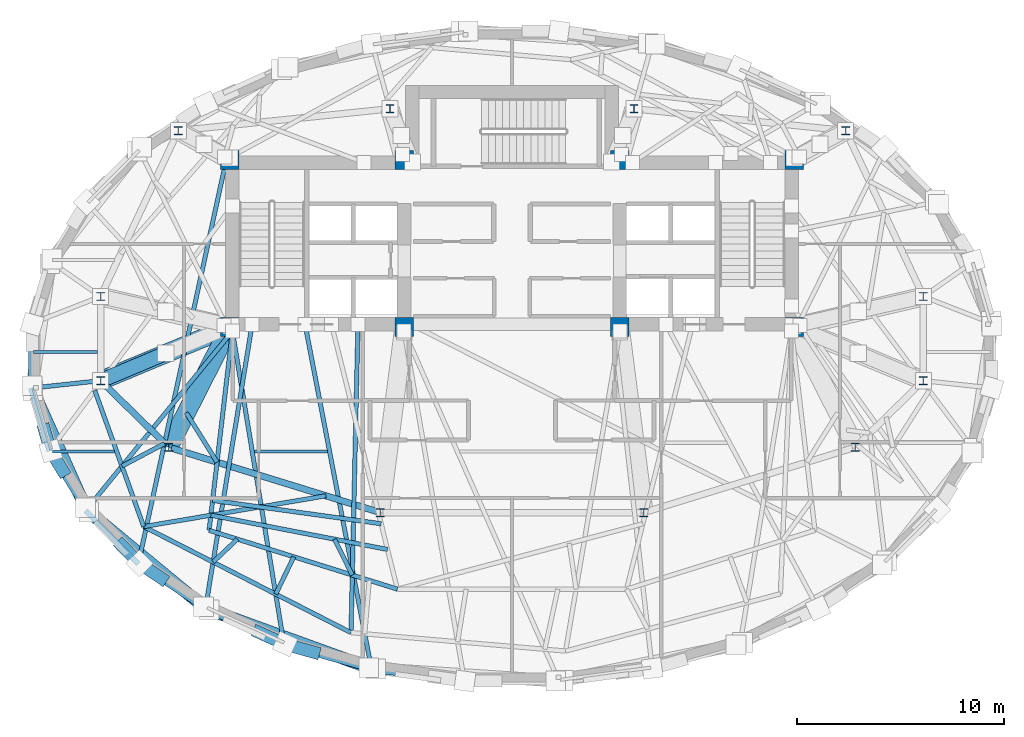
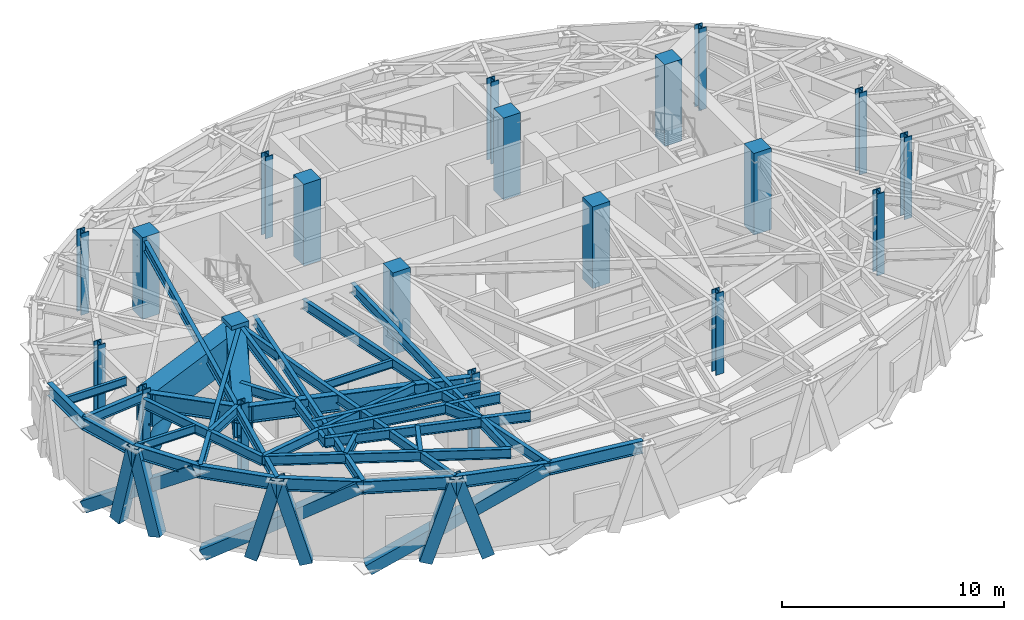
# One storey, part 1 of 12: 34 beams, 20 columns, 10 members.
"""IFC4 building model written with IfcOpenShell, lengths in metres."""

from ifc_helpers import new_model, si_unit, direction, frame, origin, origin_2d, place, context, subcontext, project, spatial, rectangle, hollow_rectangle, hollow_circle, i_section, extrude, material, material_profile, profile_set, type_object, element, save


model = new_model("IFC4")

# Units and contexts
model_context = context("Model", 3, precision=1e-05, world=origin(), true_north=direction((0.0, 1.0)))
body_context = subcontext(model_context, "Body", "Model", "MODEL_VIEW")
ifc_project = project(units=[si_unit("LENGTHUNIT", "METRE"), si_unit("AREAUNIT", "SQUARE_METRE"), si_unit("VOLUMEUNIT", "CUBIC_METRE"), si_unit("PLANEANGLEUNIT", "RADIAN"), si_unit("MASSUNIT", "GRAM", prefix="KILO")], contexts=[model_context])

# Site, building, storey
site_placement = place(None, origin())
site = spatial("IfcSite", under=ifc_project, at=site_placement, CompositionType="ELEMENT")
building_placement = place(site_placement, origin())
building = spatial("IfcBuilding", under=site, at=building_placement, Name="Keldmark Tower", CompositionType="ELEMENT")
storey_placement = place(building_placement, frame((0.0, 0.0, 201.39990234375)))
storey = spatial("IfcBuildingStorey", under=building, at=storey_placement, Name="L56", CompositionType="ELEMENT", Elevation=201.39990234375)

# Columns
ifc_material_1 = material(Name="Concrete C50/60", Category="concrete")
ifc_material_profile_1 = material_profile(ifc_material_1, rectangle(XDim=0.89990234375, YDim=0.89990234375, at=origin_2d()), Name="RC900X900")
ifc_profile_set_1 = profile_set([ifc_material_profile_1], Name="Concrete C50/60")
column_type_1 = type_object("IfcColumnType", Name="Core Boundary Column RC900", PredefinedType="COLUMN", material=ifc_profile_set_1)
for number, where, z_axis, x_axis, name in (
    (1, (-13.60009765625, 1.39990234375, 0.0), (0.0, 0.0, 1.0), (1.0, 0.0, 0.0), "L56 Core Boundary Column CC-W1"),
    (2, (-13.60009765625, 9.449951171875, 0.0), (0.0, 0.0, 1.0), (1.0, 0.0, 0.0), "L56 Core Boundary Column CC-W2"),
    (3, (-5.199951171875, 1.39990234375, 0.0), (0.0, 0.0, 1.0), (1.0, 0.0, 0.0), "L56 Core Boundary Column CC-W3"),
    (4, (-5.199951171875, 9.449951171875, 0.0), (0.0, 0.0, 1.0), (1.0, 0.0, 0.0), "L56 Core Boundary Column CC-W4"),
    (5, (5.199951171875, 1.39990234375, 0.0), (0.0, 0.0, 1.0), (1.0, 0.0, 0.0), "L56 Core Boundary Column CC-E1"),
    (6, (5.199951171875, 9.449951171875, 0.0), (0.0, 0.0, 1.0), (1.0, 0.0, 0.0), "L56 Core Boundary Column CC-E2"),
    (7, (13.60009765625, 1.39990234375, 0.0), (0.0, 0.0, 1.0), (1.0, 0.0, 0.0), "L56 Core Boundary Column CC-E3"),
    (8, (13.60009765625, 9.449951171875, 0.0), (0.0, 0.0, 1.0), (1.0, 0.0, 0.0), "L56 Core Boundary Column CC-E4"),
):
    element("IfcColumn", number, at=place(storey_placement, frame(where, z_axis=z_axis, x_axis=x_axis)), inside=storey, type_object=column_type_1, Name=name, PredefinedType="COLUMN", context=body_context, shape_type="SweptSolid", body=[
        extrude(rectangle(XDim=0.89990234375, YDim=0.89990234375, at=origin_2d()), origin(), (0.0, 0.0, 1.0), 4.5),
    ])
ifc_material_2 = material(Name="Steel ASTM A992 Grade 50", Category="steel")
ifc_material_profile_2 = material_profile(ifc_material_2, i_section(OverallWidth=0.404052734375, OverallDepth=0.406982421875, WebThickness=0.027099609375, FlangeThickness=0.043701171875, at=origin_2d()), Name="W14X233")
ifc_profile_set_2 = profile_set([ifc_material_profile_2], Name="Steel ASTM A992 Grade 50")
column_type_2 = type_object("IfcColumnType", Name="Tower Gravity Column W14X233", PredefinedType="COLUMN", material=ifc_profile_set_2)
for number, where, z_axis, x_axis, name in (
    (9, (19.828369140625, 2.869140625, 0.0), (0.0, 0.0, 1.0), (1.0, 0.0, 0.0), "L56 Tower Gravity Column TC-E1"),
    (10, (16.08154296875, 10.861083984375, 0.0), (0.0, 0.0, 1.0), (1.0, 0.0, 0.0), "L56 Tower Gravity Column TC-E4"),
    (11, (5.880126953125, 11.915283203125, 0.0), (0.0, 0.0, 1.0), (1.0, 0.0, 0.0), "L56 Tower Gravity Column TC-N2"),
    (12, (-5.880126953125, 11.915283203125, 0.0), (0.0, 0.0, 1.0), (1.0, 0.0, 0.0), "L56 Tower Gravity Column TC-N1"),
    (13, (-16.08154296875, 10.861083984375, 0.0), (0.0, 0.0, 1.0), (1.0, 0.0, 0.0), "L56 Tower Gravity Column TC-W4"),
    (14, (-19.828369140625, 2.869140625, 0.0), (0.0, 0.0, 1.0), (1.0, 0.0, 0.0), "L56 Tower Gravity Column TC-W1"),
    (15, (-19.828369140625, -1.189208984375, 0.0), (0.0, 0.0, 1.0), (1.0, 0.0, 0.0), "L56 Tower Gravity Column TC-W5"),
    (16, (-16.546630859375, -4.3984375, 0.0), (0.0, 0.0, 1.0), (1.0, 0.0, 0.0), "L56 Tower Gravity Column TC-W2"),
    (17, (-6.351318359375, -7.546142578125, 0.0), (0.0, 0.0, 1.0), (1.0, 0.0, 0.0), "L56 Tower Gravity Column TC-W3"),
    (18, (6.351318359375, -7.546142578125, 0.0), (0.0, 0.0, 1.0), (1.0, 0.0, 0.0), "L56 Tower Gravity Column TC-E3"),
    (19, (16.546630859375, -4.3984375, 0.0), (0.0, 0.0, 1.0), (1.0, 0.0, 0.0), "L56 Tower Gravity Column TC-E2"),
    (20, (19.828369140625, -1.189208984375, 0.0), (0.0, 0.0, 1.0), (1.0, 0.0, 0.0), "L56 Tower Gravity Column TC-E5"),
):
    element("IfcColumn", number, at=place(storey_placement, frame(where, z_axis=z_axis, x_axis=x_axis)), inside=storey, type_object=column_type_2, Name=name, PredefinedType="COLUMN", context=body_context, shape_type="SweptSolid", body=[
        extrude(i_section(OverallWidth=0.404052734375, OverallDepth=0.406982421875, WebThickness=0.027099609375, FlangeThickness=0.043701171875, at=origin_2d()), origin(), (0.0, 0.0, 1.0), 4.5),
    ])

# Members
ifc_material_3 = material(Name="Steel ASTM A572 Grade 50", Category="steel")
ifc_material_profile_3 = material_profile(ifc_material_3, hollow_rectangle(XDim=0.60009765625, YDim=0.60009765625, WallThickness=0.034912109375, at=origin_2d()), Name="BOX600X600X35")
ifc_profile_set_3 = profile_set([ifc_material_profile_3], Name="Steel ASTM A572 Grade 50")
member_type_1 = type_object("IfcMemberType", Name="Belt Truss Diagonal Brace BOX600", PredefinedType="BRACE", material=ifc_profile_set_3)
member_1_placement = place(storey_placement, frame((-23.092529296875, -1.664306640625, -0.539794921875), z_axis=(0.330159424397, -0.737190458603, 0.58952945832), x_axis=(0.912650335555, 0.408741195638, 0.0)))
element("IfcMember", 21, at=member_1_placement, inside=storey, type_object=member_type_1, Name="L56 Perimeter Belt Truss Brace 09", PredefinedType="BRACE", context=body_context, shape_type="SweptSolid", body=[
    extrude(hollow_rectangle(XDim=0.60009765625, YDim=0.60009765625, WallThickness=0.034912109375, at=origin_2d()), origin(), (0.0, 0.0, 1.0), 7.666748046875),
])
member_2_placement = place(storey_placement, frame((-20.394287109375, -7.522705078125, -0.539794921875), z_axis=(0.652397812884, -0.538571661433, 0.533214458961), x_axis=(0.636624498891, 0.771173941087, 0.0)))
element("IfcMember", 22, at=member_2_placement, inside=storey, type_object=member_type_1, Name="L56 Perimeter Belt Truss Brace 10", PredefinedType="BRACE", context=body_context, shape_type="SweptSolid", body=[
    extrude(hollow_rectangle(XDim=0.60009765625, YDim=0.60009765625, WallThickness=0.034912109375, at=origin_2d()), origin(), (0.0, 0.0, 1.0), 8.4765625),
])
member_3_placement = place(storey_placement, frame((-14.59130859375, -12.236083984375, -0.539794921875), z_axis=(0.822891546381, -0.297931324951, 0.483824791125), x_axis=(0.340428793388, 0.940270299772, 0.0)))
element("IfcMember", 23, at=member_3_placement, inside=storey, type_object=member_type_1, Name="L56 Perimeter Belt Truss Brace 11", PredefinedType="BRACE", context=body_context, shape_type="SweptSolid", body=[
    extrude(hollow_rectangle(XDim=0.60009765625, YDim=0.60009765625, WallThickness=0.034912109375, at=origin_2d()), origin(), (0.0, 0.0, 1.0), 9.341796875),
])

# Beams
ifc_material_4 = material(Name="Steel ASTM A992 Grade 50", Category="steel")
ifc_material_profile_4 = material_profile(ifc_material_4, i_section(OverallWidth=0.153076171875, OverallDepth=0.455078125, WebThickness=0.008056640625, FlangeThickness=0.01318359375, at=origin_2d()), Name="W18X40")
ifc_profile_set_4 = profile_set([ifc_material_profile_4], Name="Steel ASTM A992 Grade 50")
beam_type_1 = type_object("IfcBeamType", Name="Composite Floor Joist W18X40", PredefinedType="JOIST", material=ifc_profile_set_4)
beam_1_placement = place(storey_placement, frame((-22.148193359375, -4.60009765625, 4.052490234375), z_axis=(1.0, 0.0, 0.0), x_axis=(0.0, 1.0, 0.0)))
element("IfcBeam", 24, at=beam_1_placement, inside=storey, type_object=beam_type_1, Name="L56 Composite Floor Joist J01", PredefinedType="JOIST", context=body_context, shape_type="SweptSolid", body=[
    extrude(i_section(OverallWidth=0.153076171875, OverallDepth=0.455078125, WebThickness=0.008056640625, FlangeThickness=0.01318359375, at=origin_2d()), origin(), (0.0, 0.0, 1.0), 2.992431640625),
])
beam_2_placement = place(storey_placement, frame((-12.4228515625, -4.60009765625, 4.052490234375), z_axis=(1.0, 0.0, 0.0), x_axis=(0.0, 1.0, 0.0)))
element("IfcBeam", 25, at=beam_2_placement, inside=storey, type_object=beam_type_1, Name="L56 Composite Floor Joist J02", PredefinedType="JOIST", context=body_context, shape_type="SweptSolid", body=[
    extrude(i_section(OverallWidth=0.153076171875, OverallDepth=0.455078125, WebThickness=0.008056640625, FlangeThickness=0.01318359375, at=origin_2d()), origin(), (0.0, 0.0, 1.0), 3.53173828125),
])
beam_3_placement = place(storey_placement, frame((-23.06884765625, 0.199951171875, 4.052490234375), z_axis=(1.0, 0.0, 0.0), x_axis=(0.0, 1.0, 0.0)))
element("IfcBeam", 26, at=beam_3_placement, inside=storey, type_object=beam_type_1, Name="L56 Composite Floor Joist J06", PredefinedType="JOIST", context=body_context, shape_type="SweptSolid", body=[
    extrude(i_section(OverallWidth=0.153076171875, OverallDepth=0.455078125, WebThickness=0.008056640625, FlangeThickness=0.01318359375, at=origin_2d()), origin(), (0.0, 0.0, 1.0), 3.094482421875),
])

# Members
ifc_material_5 = material(Name="Steel ASTM A572 Grade 50", Category="steel")
ifc_material_profile_5 = material_profile(ifc_material_5, hollow_rectangle(XDim=0.60009765625, YDim=0.60009765625, WallThickness=0.034912109375, at=origin_2d()), Name="BOX600X600X35")
ifc_profile_set_5 = profile_set([ifc_material_profile_5], Name="Steel ASTM A572 Grade 50")
member_type_2 = type_object("IfcMemberType", Name="Diagrid Zone 4 Brace BOX600X600X35", PredefinedType="BRACE", material=ifc_profile_set_5)
member_4_placement = place(storey_placement, frame((-22.533935546875, -3.568115234375, -0.31982421875), z_axis=(0.064502361927, -0.21997639384, 0.973370346507), x_axis=(0.959597309391, 0.281376978109, 0.0)))
element("IfcMember", 27, at=member_4_placement, inside=storey, type_object=member_type_2, Name="L56 Perimeter Diagrid Brace 09A", PredefinedType="BRACE", context=body_context, shape_type="SweptSolid", body=[
    extrude(hollow_rectangle(XDim=0.60009765625, YDim=0.60009765625, WallThickness=0.034912109375, at=origin_2d()), origin(), (0.0, 0.0, 1.0), 4.6025390625),
])
member_5_placement = place(storey_placement, frame((-21.65673828125, -5.52294921875, -0.31982421875), z_axis=(-0.126160390005, 0.206583672988, 0.970261172081), x_axis=(-0.853438383523, -0.52119375047, 0.0)))
element("IfcMember", 28, at=member_5_placement, inside=storey, type_object=member_type_2, Name="L56 Perimeter Diagrid Brace 09B", PredefinedType="BRACE", context=body_context, shape_type="SweptSolid", body=[
    extrude(hollow_rectangle(XDim=0.60009765625, YDim=0.60009765625, WallThickness=0.034912109375, at=origin_2d()), origin(), (0.0, 0.0, 1.0), 4.6171875),
])
member_6_placement = place(storey_placement, frame((-18.80419921875, -9.13671875, -0.31982421875), z_axis=(0.182345444701, -0.185029317047, 0.965667795171), x_axis=(0.712253574042, 0.701922250869, 0.0)))
element("IfcMember", 29, at=member_6_placement, inside=storey, type_object=member_type_2, Name="L56 Perimeter Diagrid Brace 10A", PredefinedType="BRACE", context=body_context, shape_type="SweptSolid", body=[
    extrude(hollow_rectangle(XDim=0.60009765625, YDim=0.60009765625, WallThickness=0.034912109375, at=origin_2d()), origin(), (0.0, 0.0, 1.0), 4.63916015625),
])
member_7_placement = place(storey_placement, frame((-16.88818359375, -10.71533203125, -0.31982421875), z_axis=(-0.230745406193, 0.156481915291, 0.960348878121), x_axis=(-0.561267285166, -0.827634602106, 0.0)))
element("IfcMember", 30, at=member_7_placement, inside=storey, type_object=member_type_2, Name="L56 Perimeter Diagrid Brace 10B", PredefinedType="BRACE", context=body_context, shape_type="SweptSolid", body=[
    extrude(hollow_rectangle(XDim=0.60009765625, YDim=0.60009765625, WallThickness=0.034912109375, at=origin_2d()), origin(), (0.0, 0.0, 1.0), 4.6650390625),
])
member_8_placement = place(storey_placement, frame((-12.21142578125, -13.314453125, -0.31982421875), z_axis=(0.269923042399, -0.122261709718, 0.955088281532), x_axis=(0.412598307306, 0.910913078624, 0.0)))
element("IfcMember", 31, at=member_8_placement, inside=storey, type_object=member_type_2, Name="L56 Perimeter Diagrid Brace 11A", PredefinedType="BRACE", context=body_context, shape_type="SweptSolid", body=[
    extrude(hollow_rectangle(XDim=0.60009765625, YDim=0.60009765625, WallThickness=0.034912109375, at=origin_2d()), origin(), (0.0, 0.0, 1.0), 4.690673828125),
])
member_9_placement = place(storey_placement, frame((-9.548583984375, -14.276611328125, -0.31982421875), z_axis=(-0.29848156576, 0.083829747162, 0.950726736971), x_axis=(-0.270392272774, -0.96275023699, 0.0)))
element("IfcMember", 32, at=member_9_placement, inside=storey, type_object=member_type_2, Name="L56 Perimeter Diagrid Brace 11B", PredefinedType="BRACE", context=body_context, shape_type="SweptSolid", body=[
    extrude(hollow_rectangle(XDim=0.60009765625, YDim=0.60009765625, WallThickness=0.034912109375, at=origin_2d()), origin(), (0.0, 0.0, 1.0), 4.712158203125),
])

# Beams
ifc_material_6 = material(Name="Steel ASTM A992 Grade 50", Category="steel")
ifc_material_profile_6 = material_profile(ifc_material_6, i_section(OverallWidth=0.31005859375, OverallDepth=0.931884765625, WebThickness=0.02099609375, FlangeThickness=0.034423828125, at=origin_2d()), Name="W36X210")
ifc_profile_set_6 = profile_set([ifc_material_profile_6], Name="Steel ASTM A992 Grade 50")
beam_type_2 = type_object("IfcBeamType", Name="Outrigger Chord Girder W36X210", PredefinedType="BEAM", material=ifc_profile_set_6)
beam_4_placement = place(storey_placement, frame((-19.728271484375, -1.287109375, 3.814208984375), z_axis=(0.714964509815, -0.699160746684, 0.0), x_axis=(0.699160746684, 0.714964509815, 0.0)))
element("IfcBeam", 33, at=beam_4_placement, inside=storey, type_object=beam_type_2, Name="L56 Floor Ring Girder FG-R07", PredefinedType="BEAM", context=body_context, shape_type="SweptSolid", body=[
    extrude(i_section(OverallWidth=0.31005859375, OverallDepth=0.931884765625, WebThickness=0.02099609375, FlangeThickness=0.034423828125, at=origin_2d()), origin(), (0.0, 0.0, 1.0), 4.31005859375),
])
beam_5_placement = place(storey_placement, frame((-16.412841796875, -4.439697265625, 3.814208984375), z_axis=(0.955494563145, -0.295008711398, 0.0), x_axis=(0.295008711398, 0.955494563145, 0.0)))
element("IfcBeam", 34, at=beam_5_placement, inside=storey, type_object=beam_type_2, Name="L56 Floor Ring Girder FG-R08", PredefinedType="BEAM", context=body_context, shape_type="SweptSolid", body=[
    extrude(i_section(OverallWidth=0.31005859375, OverallDepth=0.931884765625, WebThickness=0.02099609375, FlangeThickness=0.034423828125, at=origin_2d()), origin(), (0.0, 0.0, 1.0), 10.39013671875),
])

# Member
ifc_material_7 = material(Name="Steel ASTM A572 Grade 50", Category="steel")
ifc_material_profile_7 = material_profile(ifc_material_7, hollow_circle(Radius=0.35009765625, WallThickness=0.031982421875, at=origin_2d()), Name="CHS700X32")
ifc_profile_set_7 = profile_set([ifc_material_profile_7], Name="Steel ASTM A572 Grade 50")
member_type_3 = type_object("IfcMemberType", Name="Outrigger Web Strut CHS700X32", PredefinedType="STRUT", material=ifc_profile_set_7)
member_10_placement = place(storey_placement, frame((-19.828369140625, -1.189208984375, 0.150146484375), z_axis=(0.612546791251, 0.25749069892, 0.747318518771), x_axis=(-0.387515250943, 0.921863292623, 0.0)))
element("IfcMember", 35, at=member_10_placement, inside=storey, type_object=member_type_3, Name="L56 Core Outrigger Truss Strut 02B", PredefinedType="STRUT", context=body_context, shape_type="SweptSolid", body=[
    extrude(hollow_circle(Radius=0.35009765625, WallThickness=0.031982421875, at=origin_2d()), origin(), (0.0, 0.0, 1.0), 5.124755859375),
])

# Beams
ifc_material_8 = material(Name="Steel ASTM A572 Grade 50", Category="steel")
ifc_material_profile_8 = material_profile(ifc_material_8, hollow_rectangle(XDim=0.89990234375, YDim=1.800048828125, WallThickness=0.074951171875, at=origin_2d()), Name="TBOX1800X900X75")
ifc_profile_set_8 = profile_set([ifc_material_profile_8], Name="Steel ASTM A572 Grade 50")
beam_type_3 = type_object("IfcBeamType", Name="Perimeter Transfer Box Girder 1800x900", PredefinedType="USERDEFINED", material=ifc_profile_set_8)
beam_6_placement = place(storey_placement, frame((-19.828369140625, -1.189208984375, 3.380126953125), z_axis=(0.923395014443, 0.38385107438, 0.0), x_axis=(-0.38385107438, 0.923395014443, 0.0)))
element("IfcBeam", 36, at=beam_6_placement, inside=storey, type_object=beam_type_3, Name="L56 Upper Crown Transfer Box Girder UTB-TC-W5", ObjectType="TRANSFER GIRDER", PredefinedType="USERDEFINED", context=body_context, shape_type="SweptSolid", body=[
    extrude(hollow_rectangle(XDim=0.89990234375, YDim=1.800048828125, WallThickness=0.074951171875, at=origin_2d()), origin(), (0.0, 0.0, 1.0), 6.46533203125),
])
beam_7_placement = place(storey_placement, frame((-16.546630859375, -4.3984375, 3.380126953125), z_axis=(0.453040649409, 0.89148985972, 0.0), x_axis=(-0.89148985972, 0.453040649409, 0.0)))
element("IfcBeam", 37, at=beam_7_placement, inside=storey, type_object=beam_type_3, Name="L56 Upper Crown Transfer Box Girder UTB-TC-W2", ObjectType="TRANSFER GIRDER", PredefinedType="USERDEFINED", context=body_context, shape_type="SweptSolid", body=[
    extrude(hollow_rectangle(XDim=0.89990234375, YDim=1.800048828125, WallThickness=0.074951171875, at=origin_2d()), origin(), (0.0, 0.0, 1.0), 6.22412109375),
])
ifc_material_9 = material(Name="Steel ASTM A992 Grade 50", Category="steel")
ifc_material_profile_9 = material_profile(ifc_material_9, i_section(OverallWidth=0.2099609375, OverallDepth=0.537109375, WebThickness=0.010986328125, FlangeThickness=0.017333984375, at=origin_2d()), Name="W21X68")
ifc_profile_set_9 = profile_set([ifc_material_profile_9], Name="Steel ASTM A992 Grade 50")
beam_type_4 = type_object("IfcBeamType", Name="Radial Tie Girder W21X68", PredefinedType="BEAM", material=ifc_profile_set_9)
beam_8_placement = place(storey_placement, frame((-15.70068359375, -2.73388671875, 4.01171875), z_axis=(0.528764052811, -0.848768859263, 0.0), x_axis=(0.848768859263, 0.528764052811, 0.0)))
element("IfcBeam", 38, at=beam_8_placement, inside=storey, type_object=beam_type_4, Name="L56 Framing Pin Header PH-001", PredefinedType="BEAM", context=body_context, shape_type="SweptSolid", body=[
    extrude(i_section(OverallWidth=0.2099609375, OverallDepth=0.537109375, WebThickness=0.010986328125, FlangeThickness=0.017333984375, at=origin_2d()), origin(), (0.0, 0.0, 1.0), 2.80908203125),
])
beam_9_placement = place(storey_placement, frame((-13.47509765625, 1.199951171875, 4.01171875), z_axis=(-0.1163811046, -0.993204630724, 0.0), x_axis=(0.993204630724, -0.1163811046, 0.0)))
element("IfcBeam", 39, at=beam_9_placement, inside=storey, type_object=beam_type_4, Name="L56 Sub-Ring Step Girder STP1-M08", PredefinedType="BEAM", context=body_context, shape_type="SweptSolid", body=[
    extrude(i_section(OverallWidth=0.2099609375, OverallDepth=0.537109375, WebThickness=0.010986328125, FlangeThickness=0.017333984375, at=origin_2d()), origin(), (0.0, 0.0, 1.0), 9.66650390625),
])
beam_10_placement = place(storey_placement, frame((-14.431396484375, -6.960693359375, 4.01171875), z_axis=(0.990567280551, -0.13702723343, 0.0), x_axis=(0.13702723343, 0.990567280551, 0.0)))
element("IfcBeam", 40, at=beam_10_placement, inside=storey, type_object=beam_type_4, Name="L56 Framing Pin Header PH-002", PredefinedType="BEAM", context=body_context, shape_type="SweptSolid", body=[
    extrude(i_section(OverallWidth=0.2099609375, OverallDepth=0.537109375, WebThickness=0.010986328125, FlangeThickness=0.017333984375, at=origin_2d()), origin(), (0.0, 0.0, 1.0), 8.201171875),
])
beam_11_placement = place(storey_placement, frame((-14.60009765625, -8.40087890625, 4.01171875), z_axis=(0.954455767336, -0.298352456331, 0.0), x_axis=(0.298352456331, 0.954455767336, 0.0)))
element("IfcBeam", 41, at=beam_11_placement, inside=storey, type_object=beam_type_4, Name="L56 Perimeter Collector Ring Beam CRG1-M08", PredefinedType="BEAM", context=body_context, shape_type="SweptSolid", body=[
    extrude(i_section(OverallWidth=0.2099609375, OverallDepth=0.537109375, WebThickness=0.010986328125, FlangeThickness=0.017333984375, at=origin_2d()), origin(), (0.0, 0.0, 1.0), 9.510986328125),
])
beam_12_placement = place(storey_placement, frame((-5.998779296875, -9.32421875, 4.01171875), z_axis=(-0.981755452013, 0.190147922533, 0.0), x_axis=(-0.190147922533, -0.981755452013, 0.0)))
element("IfcBeam", 42, at=beam_12_placement, inside=storey, type_object=beam_type_4, Name="L56 Framing Pin Header PH-005", PredefinedType="BEAM", context=body_context, shape_type="SweptSolid", body=[
    extrude(i_section(OverallWidth=0.2099609375, OverallDepth=0.537109375, WebThickness=0.010986328125, FlangeThickness=0.017333984375, at=origin_2d()), origin(), (0.0, 0.0, 1.0), 8.67431640625),
])
beam_13_placement = place(storey_placement, frame((-8.967041015625, -6.738525390625, 4.01171875), z_axis=(-0.986053346326, -0.166429559274, 0.0), x_axis=(0.166429559274, -0.986053346326, 0.0)))
element("IfcBeam", 43, at=beam_13_placement, inside=storey, type_object=beam_type_4, Name="L56 Sub-Ring Step Girder STP2-M08", PredefinedType="BEAM", context=body_context, shape_type="SweptSolid", body=[
    extrude(i_section(OverallWidth=0.2099609375, OverallDepth=0.537109375, WebThickness=0.010986328125, FlangeThickness=0.017333984375, at=origin_2d()), origin(), (0.0, 0.0, 1.0), 8.90869140625),
])
beam_14_placement = place(storey_placement, frame((-8.5537109375, -8.829345703125, 4.01171875), z_axis=(0.443819741011, -0.896116084829, 0.0), x_axis=(0.896116084829, 0.443819741011, 0.0)))
element("IfcBeam", 44, at=beam_14_placement, inside=storey, type_object=beam_type_4, Name="L56 Framing Pin Header PH-006", PredefinedType="BEAM", context=body_context, shape_type="SweptSolid", body=[
    extrude(i_section(OverallWidth=0.2099609375, OverallDepth=0.537109375, WebThickness=0.010986328125, FlangeThickness=0.017333984375, at=origin_2d()), origin(), (0.0, 0.0, 1.0), 1.9296875),
])
beam_15_placement = place(storey_placement, frame((-7.425048828125, 1.52490234375, 4.01171875), z_axis=(-0.022521027794, -0.999746369489, 0.0), x_axis=(0.999746369489, -0.022521027794, 0.0)))
element("IfcBeam", 45, at=beam_15_placement, inside=storey, type_object=beam_type_4, Name="L56 Sub-Ring Step Girder STP2-M09", PredefinedType="BEAM", context=body_context, shape_type="SweptSolid", body=[
    extrude(i_section(OverallWidth=0.2099609375, OverallDepth=0.537109375, WebThickness=0.010986328125, FlangeThickness=0.017333984375, at=origin_2d()), origin(), (0.0, 0.0, 1.0), 14.8623046875),
])
beam_16_placement = place(storey_placement, frame((-17.75146484375, -8.22119140625, 4.01171875), z_axis=(0.890229496197, -0.45551228754, 0.0), x_axis=(0.45551228754, 0.890229496197, 0.0)))
element("IfcBeam", 46, at=beam_16_placement, inside=storey, type_object=beam_type_4, Name="L56 Perimeter Collector Ring Beam CRG2-M08", PredefinedType="BEAM", context=body_context, shape_type="SweptSolid", body=[
    extrude(i_section(OverallWidth=0.2099609375, OverallDepth=0.537109375, WebThickness=0.010986328125, FlangeThickness=0.017333984375, at=origin_2d()), origin(), (0.0, 0.0, 1.0), 11.2236328125),
])
beam_17_placement = place(storey_placement, frame((-19.828369140625, -1.189208984375, 4.01171875), z_axis=(-0.994326636507, -0.106369826231, 0.0), x_axis=(0.106369826231, -0.994326636507, 0.0)))
element("IfcBeam", 47, at=beam_17_placement, inside=storey, type_object=beam_type_4, Name="L56 Perimeter Column Bracket RT-17", PredefinedType="BEAM", context=body_context, shape_type="SweptSolid", body=[
    extrude(i_section(OverallWidth=0.2099609375, OverallDepth=0.537109375, WebThickness=0.010986328125, FlangeThickness=0.017333984375, at=origin_2d()), origin(), (0.0, 0.0, 1.0), 3.378662109375),
])
beam_18_placement = place(storey_placement, frame((-17.75146484375, -8.22119140625, 4.01171875), z_axis=(-0.338309160932, 0.941035021468, 0.0), x_axis=(-0.941035021468, -0.338309160932, 0.0)))
element("IfcBeam", 48, at=beam_18_placement, inside=storey, type_object=beam_type_4, Name="L56 Framing Pin Header PH-018", PredefinedType="BEAM", context=body_context, shape_type="SweptSolid", body=[
    extrude(i_section(OverallWidth=0.2099609375, OverallDepth=0.537109375, WebThickness=0.010986328125, FlangeThickness=0.017333984375, at=origin_2d()), origin(), (0.0, 0.0, 1.0), 6.974853515625),
])
beam_19_placement = place(storey_placement, frame((-13.800048828125, 9.324951171875, 4.01171875), z_axis=(-0.212659470403, -0.977126373428, 0.0), x_axis=(0.977126373428, -0.212659470403, 0.0)))
element("IfcBeam", 49, at=beam_19_placement, inside=storey, type_object=beam_type_4, Name="L56 Perimeter Radial Tie Girder RT-20", PredefinedType="BEAM", context=body_context, shape_type="SweptSolid", body=[
    extrude(i_section(OverallWidth=0.2099609375, OverallDepth=0.537109375, WebThickness=0.010986328125, FlangeThickness=0.017333984375, at=origin_2d()), origin(), (0.0, 0.0, 1.0), 19.80126953125),
])
beam_20_placement = place(storey_placement, frame((-13.23828125, -8.826416015625, 4.01171875), z_axis=(-0.72618788094, -0.687496299318, 0.0), x_axis=(0.687496299318, -0.72618788094, 0.0)))
element("IfcBeam", 50, at=beam_20_placement, inside=storey, type_object=beam_type_4, Name="L56 Framing Pin Header PH-019", PredefinedType="BEAM", context=body_context, shape_type="SweptSolid", body=[
    extrude(i_section(OverallWidth=0.2099609375, OverallDepth=0.537109375, WebThickness=0.010986328125, FlangeThickness=0.017333984375, at=origin_2d()), origin(), (0.0, 0.0, 1.0), 1.609130859375),
])
beam_21_placement = place(storey_placement, frame((-12.52490234375, 1.52490234375, 4.01171875), z_axis=(-0.162080998635, -0.986777457121, 0.0), x_axis=(0.986777457121, -0.162080998635, 0.0)))
element("IfcBeam", 51, at=beam_21_placement, inside=storey, type_object=beam_type_4, Name="L56 Perimeter Radial Tie Girder RT-21", PredefinedType="BEAM", context=body_context, shape_type="SweptSolid", body=[
    extrude(i_section(OverallWidth=0.2099609375, OverallDepth=0.537109375, WebThickness=0.010986328125, FlangeThickness=0.017333984375, at=origin_2d()), origin(), (0.0, 0.0, 1.0), 13.922607421875),
])
beam_22_placement = place(storey_placement, frame((-10.514892578125, -9.677734375, 4.01171875), z_axis=(-0.436489119466, -0.899709535677, 0.0), x_axis=(0.899709535677, -0.436489119466, 0.0)))
element("IfcBeam", 52, at=beam_22_placement, inside=storey, type_object=beam_type_4, Name="L56 Framing Pin Header PH-020", PredefinedType="BEAM", context=body_context, shape_type="SweptSolid", body=[
    extrude(i_section(OverallWidth=0.2099609375, OverallDepth=0.537109375, WebThickness=0.010986328125, FlangeThickness=0.017333984375, at=origin_2d()), origin(), (0.0, 0.0, 1.0), 2.000244140625),
])
beam_23_placement = place(storey_placement, frame((-13.47509765625, 1.199951171875, 4.01171875), z_axis=(0.162452448919, -0.986716373554, 0.0), x_axis=(0.986716373554, 0.162452448919, 0.0)))
element("IfcBeam", 53, at=beam_23_placement, inside=storey, type_object=beam_type_4, Name="L56 Perimeter Radial Tie Girder RT-22", PredefinedType="BEAM", context=body_context, shape_type="SweptSolid", body=[
    extrude(i_section(OverallWidth=0.2099609375, OverallDepth=0.537109375, WebThickness=0.010986328125, FlangeThickness=0.017333984375, at=origin_2d()), origin(), (0.0, 0.0, 1.0), 15.338134765625),
])
beam_24_placement = place(storey_placement, frame((-9.97509765625, 1.52490234375, 4.01171875), z_axis=(0.189447775814, -0.981890798531, 0.0), x_axis=(0.981890798531, 0.189447775814, 0.0)))
element("IfcBeam", 54, at=beam_24_placement, inside=storey, type_object=beam_type_4, Name="L56 Perimeter Radial Tie Girder RT-23", PredefinedType="BEAM", context=body_context, shape_type="SweptSolid", body=[
    extrude(i_section(OverallWidth=0.2099609375, OverallDepth=0.537109375, WebThickness=0.010986328125, FlangeThickness=0.017333984375, at=origin_2d()), origin(), (0.0, 0.0, 1.0), 16.951416015625),
])
beam_25_placement = place(storey_placement, frame((-16.747802734375, -4.218994140625, 4.01171875), z_axis=(-0.883137498272, -0.469114228249, 0.0), x_axis=(0.469114228249, -0.883137498272, 0.0)))
element("IfcBeam", 55, at=beam_25_placement, inside=storey, type_object=beam_type_4, Name="L56 Framing Pin Header PH-031", PredefinedType="BEAM", context=body_context, shape_type="SweptSolid", body=[
    extrude(i_section(OverallWidth=0.2099609375, OverallDepth=0.537109375, WebThickness=0.010986328125, FlangeThickness=0.017333984375, at=origin_2d()), origin(), (0.0, 0.0, 1.0), 2.322265625),
])
beam_26_placement = place(storey_placement, frame((-13.47509765625, 1.199951171875, 4.01171875), z_axis=(-0.633137828622, -0.77403907522, 0.0), x_axis=(0.77403907522, -0.633137828622, 0.0)))
element("IfcBeam", 56, at=beam_26_placement, inside=storey, type_object=beam_type_4, Name="L56 Perimeter Radial Tie Girder RT-19R", PredefinedType="BEAM", context=body_context, shape_type="SweptSolid", body=[
    extrude(i_section(OverallWidth=0.2099609375, OverallDepth=0.537109375, WebThickness=0.010986328125, FlangeThickness=0.017333984375, at=origin_2d()), origin(), (0.0, 0.0, 1.0), 11.172607421875),
])
ifc_material_10 = material(Name="Steel ASTM A992 Grade 50", Category="steel")
ifc_material_profile_10 = material_profile(ifc_material_10, i_section(OverallWidth=0.256103515625, OverallDepth=0.693115234375, WebThickness=0.014404296875, FlangeThickness=0.023681640625, at=origin_2d()), Name="W27X114")
ifc_profile_set_10 = profile_set([ifc_material_profile_10], Name="Steel ASTM A992 Grade 50")
beam_type_5 = type_object("IfcBeamType", Name="Spandrel Ring Beam W27X114", PredefinedType="SPANDREL", material=ifc_profile_set_10)
beam_27_placement = place(storey_placement, frame((-23.187744140625, 1.548583984375, 3.93359375), z_axis=(0.0, -1.0, 0.0), x_axis=(1.0, 0.0, 0.0)))
element("IfcBeam", 57, at=beam_27_placement, inside=storey, type_object=beam_type_5, Name="L56 Perimeter Spandrel Ring Beam SRB-16", PredefinedType="SPANDREL", context=body_context, shape_type="SweptSolid", body=[
    extrude(i_section(OverallWidth=0.256103515625, OverallDepth=0.693115234375, WebThickness=0.014404296875, FlangeThickness=0.023681640625, at=origin_2d()), origin(), (0.0, 0.0, 1.0), 3.09716796875),
])
beam_28_placement = place(storey_placement, frame((-23.187744140625, -1.548583984375, 3.93359375), z_axis=(0.281477355005, -0.959567870773, 0.0), x_axis=(0.959567870773, 0.281477355005, 0.0)))
element("IfcBeam", 58, at=beam_28_placement, inside=storey, type_object=beam_type_5, Name="L56 Perimeter Spandrel Ring Beam SRB-17", PredefinedType="SPANDREL", context=body_context, shape_type="SweptSolid", body=[
    extrude(i_section(OverallWidth=0.256103515625, OverallDepth=0.693115234375, WebThickness=0.014404296875, FlangeThickness=0.023681640625, at=origin_2d()), origin(), (0.0, 0.0, 1.0), 3.165771484375),
])
beam_29_placement = place(storey_placement, frame((-22.296630859375, -4.58642578125, 3.93359375), z_axis=(0.521246781142, -0.853405995497, 0.0), x_axis=(0.853405995497, 0.521246781142, 0.0)))
element("IfcBeam", 59, at=beam_29_placement, inside=storey, type_object=beam_type_5, Name="L56 Perimeter Spandrel Ring Beam SRB-18", PredefinedType="SPANDREL", context=body_context, shape_type="SweptSolid", body=[
    extrude(i_section(OverallWidth=0.256103515625, OverallDepth=0.693115234375, WebThickness=0.014404296875, FlangeThickness=0.023681640625, at=origin_2d()), origin(), (0.0, 0.0, 1.0), 3.35302734375),
])
beam_30_placement = place(storey_placement, frame((-20.548828125, -7.447998046875, 3.93359375), z_axis=(0.701888492814, -0.712286840855, 0.0), x_axis=(0.712286840855, 0.701888492814, 0.0)))
element("IfcBeam", 60, at=beam_30_placement, inside=storey, type_object=beam_type_5, Name="L56 Perimeter Spandrel Ring Beam SRB-19", PredefinedType="SPANDREL", context=body_context, shape_type="SweptSolid", body=[
    extrude(i_section(OverallWidth=0.256103515625, OverallDepth=0.693115234375, WebThickness=0.014404296875, FlangeThickness=0.023681640625, at=origin_2d()), origin(), (0.0, 0.0, 1.0), 3.61572265625),
])
beam_31_placement = place(storey_placement, frame((-18.010986328125, -10.0234375, 3.93359375), z_axis=(0.827625248145, -0.5612810781, 0.0), x_axis=(0.5612810781, 0.827625248145, 0.0)))
element("IfcBeam", 61, at=beam_31_placement, inside=storey, type_object=beam_type_5, Name="L56 Perimeter Spandrel Ring Beam SRB-20", PredefinedType="SPANDREL", context=body_context, shape_type="SweptSolid", body=[
    extrude(i_section(OverallWidth=0.256103515625, OverallDepth=0.693115234375, WebThickness=0.014404296875, FlangeThickness=0.023681640625, at=origin_2d()), origin(), (0.0, 0.0, 1.0), 3.902099609375),
])
beam_32_placement = place(storey_placement, frame((-14.781494140625, -12.213623046875, 3.93359375), z_axis=(0.910881102331, -0.412668895624, 0.0), x_axis=(0.412668895624, 0.910881102331, 0.0)))
element("IfcBeam", 62, at=beam_32_placement, inside=storey, type_object=beam_type_5, Name="L56 Perimeter Spandrel Ring Beam SRB-21", PredefinedType="SPANDREL", context=body_context, shape_type="SweptSolid", body=[
    extrude(i_section(OverallWidth=0.256103515625, OverallDepth=0.693115234375, WebThickness=0.014404296875, FlangeThickness=0.023681640625, at=origin_2d()), origin(), (0.0, 0.0, 1.0), 4.169677734375),
])
beam_33_placement = place(storey_placement, frame((-10.9833984375, -13.934326171875, 3.93359375), z_axis=(0.962739808547, -0.270429401209, 0.0), x_axis=(0.270429401209, 0.962739808547, 0.0)))
element("IfcBeam", 63, at=beam_33_placement, inside=storey, type_object=beam_type_5, Name="L56 Perimeter Spandrel Ring Beam SRB-22", PredefinedType="SPANDREL", context=body_context, shape_type="SweptSolid", body=[
    extrude(i_section(OverallWidth=0.256103515625, OverallDepth=0.693115234375, WebThickness=0.014404296875, FlangeThickness=0.023681640625, at=origin_2d()), origin(), (0.0, 0.0, 1.0), 4.383056640625),
])
beam_34_placement = place(storey_placement, frame((-6.763671875, -15.11962890625, 3.93359375), z_axis=(0.991026298245, -0.133667034777, 0.0), x_axis=(0.133667034777, 0.991026298245, 0.0)))
element("IfcBeam", 64, at=beam_34_placement, inside=storey, type_object=beam_type_5, Name="L56 Perimeter Spandrel Ring Beam SRB-23", PredefinedType="SPANDREL", context=body_context, shape_type="SweptSolid", body=[
    extrude(i_section(OverallWidth=0.256103515625, OverallDepth=0.693115234375, WebThickness=0.014404296875, FlangeThickness=0.023681640625, at=origin_2d()), origin(), (0.0, 0.0, 1.0), 4.5205078125),
])

save(model, "model.ifc")
